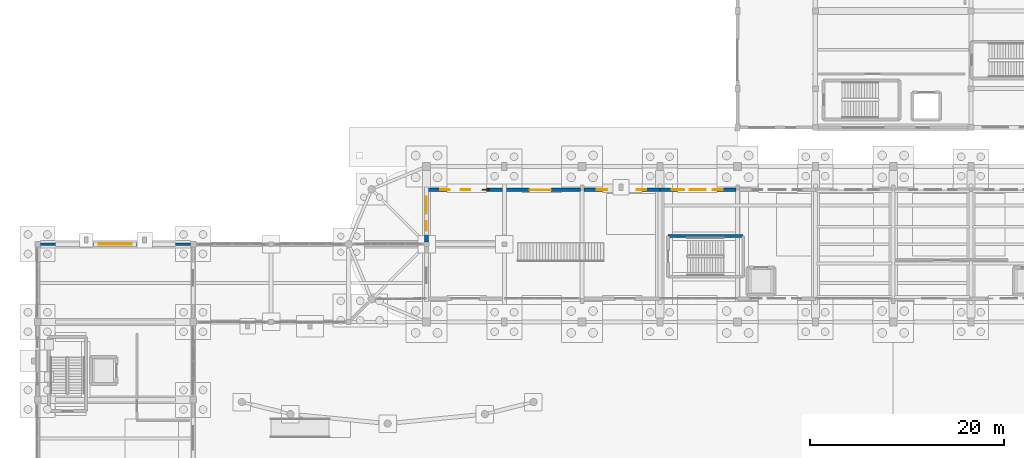
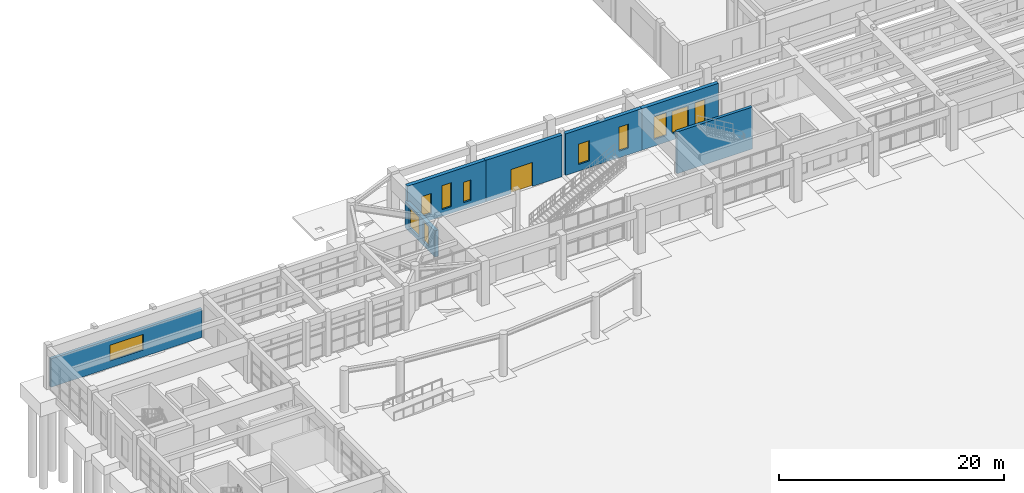
# One storey, part 48 of 68: 11 windows, 7 walls, 1 door, 12 openings.
"""IFC4 building model written with IfcOpenShell, lengths in metres."""

from ifc_helpers import new_model, si_unit, direction, frame, frame_2d, origin, place, context, subcontext, project, spatial, rectangle, extrude, material, layer, layer_set, type_object, element, fill, save


model = new_model("IFC4")

# Units and contexts
model_context = context("Model", 3, precision=1e-05, world=origin(), true_north=direction((0.0, 1.0)))
body_context = subcontext(model_context, "Body", "Model", "MODEL_VIEW")
ifc_project = project(units=[si_unit("LENGTHUNIT", "METRE"), si_unit("AREAUNIT", "SQUARE_METRE"), si_unit("VOLUMEUNIT", "CUBIC_METRE"), si_unit("PLANEANGLEUNIT", "RADIAN"), si_unit("MASSUNIT", "GRAM", prefix="KILO")], contexts=[model_context])

# Site, building, storey
site_placement = place(None, origin())
site = spatial("IfcSite", under=ifc_project, at=site_placement, CompositionType="ELEMENT")
building_placement = place(site_placement, origin())
building = spatial("IfcBuilding", under=site, at=building_placement, Name="Serraluz Foothill Cableway Terminal", CompositionType="ELEMENT")
storey_placement = place(building_placement, origin())
storey = spatial("IfcBuildingStorey", under=building, at=storey_placement, Name="L00", CompositionType="ELEMENT", Elevation=0.0)

# Wall, opening, window
ifc_material_1 = material(Name="Fired clay masonry brick (f'm 12 MPa)", Category="masonry")
ifc_layer_1 = layer(ifc_material_1, 0.300048828125, Name="Fired clay masonry brick (f'm 12 MPa)", Category="masonry")
ifc_layer_set_1 = layer_set([ifc_layer_1], Name="Fired clay masonry brick (f'm 12 MPa)")
wall_type_1 = type_object("IfcWallType", Name="TYP-WL-EXT-300", PredefinedType="STANDARD", material=ifc_layer_set_1)
wall_1_placement = place(storey_placement, frame((0.27490234375, 64.0, 0.0), z_axis=(0.0, 0.0, 1.0), x_axis=(1.0, 0.0, 0.0)))
wall_1 = element("IfcWall", 1, at=wall_1_placement, inside=storey, type_object=wall_type_1, Name="Exterior Masonry Wall EW-V5N-L00", PredefinedType="STANDARD", context=body_context, shape_type="SweptSolid", body=[
    extrude(rectangle(XDim=15.4501953125, YDim=0.300048828125, at=frame_2d((7.72509765625, 0.0))), origin(), (0.0, 0.0, 1.0), 3.090087890625),
])
opening_1_placement = place(wall_1_placement, frame((6.025390625, 0.0, 0.75)))
opening_1 = element("IfcOpeningElement", 2, at=opening_1_placement, cuts=wall_1, Name="Opening W-34", PredefinedType="OPENING", context=body_context, shape_type="SweptSolid", body=[
    extrude(rectangle(XDim=3.39892578125, YDim=1.699951171875, at=frame_2d((1.699462890625, 0.85009765625))), frame((0.0, 0.16015625, 0.0), z_axis=(0.0, -1.0, 0.0), x_axis=(1.0, 0.0, 0.0)), (0.0, 0.0, 1.0), 0.320068359375),
])
ifc_material_2 = material(Name="Laminated low-E safety glass", Category="glass")
window_type_1 = type_object("IfcWindowType", Name="TYP-WN-380X170", PartitioningType="TRIPLE_PANEL_VERTICAL", PredefinedType="WINDOW", material=ifc_material_2)
window_1_placement = place(opening_1_placement, origin())
window_1 = element("IfcWindow", 3, at=window_1_placement, inside=storey, type_object=window_type_1, Name="Exterior Window EW-V5N-L00-WN2", OverallHeight=1.699951171875, OverallWidth=3.39892578125, PartitioningType="SINGLE_PANEL", PredefinedType="WINDOW", context=body_context, shape_type="SweptSolid", body=[
    extrude(rectangle(XDim=3.39892578125, YDim=1.699951171875, at=frame_2d((1.699462890625, 0.85009765625))), frame((0.0, 0.030029296875, 0.0), z_axis=(0.0, -1.0, 0.0), x_axis=(1.0, 0.0, 0.0)), (0.0, 0.0, 1.0), 0.06005859375),
])
fill(opening_1, window_1)

# Wall, openings, windows
ifc_material_3 = material(Name="Dark clinker clay masonry brick (f'm 14 MPa)", Category="masonry")
ifc_layer_2 = layer(ifc_material_3, 0.3798828125, Name="Dark clinker clay masonry brick (f'm 14 MPa)", Category="masonry")
ifc_layer_set_2 = layer_set([ifc_layer_2], Name="Dark clinker clay masonry brick (f'm 14 MPa)")
wall_type_2 = type_object("IfcWallType", Name="TYP-WL-EXT-380", PredefinedType="STANDARD", material=ifc_layer_set_2)
wall_2_placement = place(storey_placement, frame((40.0, 69.60009765625, 0.0), z_axis=(0.0, 0.0, 1.0), x_axis=(1.0, 0.0, 0.0)))
wall_2 = element("IfcWall", 4, at=wall_2_placement, inside=storey, type_object=wall_type_2, Name="Exterior Masonry Wall EW-V1N-L00-40", PredefinedType="STANDARD", context=body_context, shape_type="SweptSolid", body=[
    extrude(rectangle(XDim=8.0, YDim=0.3798828125, at=frame_2d((4.0, 0.0))), origin(), (0.0, 0.0, 1.0), 4.5),
])
opening_2_placement = place(wall_2_placement, frame((1.429931640625, 0.0, 0.719970703125)))
opening_2 = element("IfcOpeningElement", 5, at=opening_2_placement, cuts=wall_2, Name="Opening W-49", PredefinedType="OPENING", context=body_context, shape_type="SweptSolid", body=[
    extrude(rectangle(XDim=0.97998046875, YDim=2.14990234375, at=frame_2d((0.489990234375, 1.074951171875))), frame((0.0, 0.199951171875, 0.0), z_axis=(0.0, -1.0, 0.0), x_axis=(1.0, 0.0, 0.0)), (0.0, 0.0, 1.0), 0.39990234375),
])
opening_3_placement = place(wall_2_placement, frame((3.52490234375, 0.0, 0.719970703125)))
opening_3 = element("IfcOpeningElement", 6, at=opening_3_placement, cuts=wall_2, Name="Opening W-03", PredefinedType="OPENING", context=body_context, shape_type="SweptSolid", body=[
    extrude(rectangle(XDim=0.949951171875, YDim=2.60009765625, at=frame_2d((0.47509765625, 1.300048828125))), frame((0.0, 0.199951171875, 0.0), z_axis=(0.0, -1.0, 0.0), x_axis=(1.0, 0.0, 0.0)), (0.0, 0.0, 1.0), 0.39990234375),
])
opening_4_placement = place(wall_2_placement, frame((5.705078125, 0.0, 0.719970703125)))
opening_4 = element("IfcOpeningElement", 7, at=opening_4_placement, cuts=wall_2, Name="Opening W-01", PredefinedType="OPENING", context=body_context, shape_type="SweptSolid", body=[
    extrude(rectangle(XDim=0.75, YDim=2.199951171875, at=frame_2d((0.375, 1.10009765625))), frame((0.0, 0.199951171875, 0.0), z_axis=(0.0, -1.0, 0.0), x_axis=(1.0, 0.0, 0.0)), (0.0, 0.0, 1.0), 0.39990234375),
])
window_type_2 = type_object("IfcWindowType", Name="TYP-WN-075X220", PartitioningType="SINGLE_PANEL", PredefinedType="WINDOW", material=ifc_material_2)
window_2_placement = place(opening_4_placement, origin())
window_2 = element("IfcWindow", 8, at=window_2_placement, inside=storey, type_object=window_type_2, Name="Exterior Window EW-V1N-L00-40-WN3", OverallHeight=2.199951171875, OverallWidth=0.75, PartitioningType="SINGLE_PANEL", PredefinedType="WINDOW", context=body_context, shape_type="SweptSolid", body=[
    extrude(rectangle(XDim=0.75, YDim=2.199951171875, at=frame_2d((0.375, 1.10009765625))), frame((0.0, 0.030029296875, 0.0), z_axis=(0.0, -1.0, 0.0), x_axis=(1.0, 0.0, 0.0)), (0.0, 0.0, 1.0), 0.06005859375),
])
fill(opening_4, window_2)
window_type_3 = type_object("IfcWindowType", Name="TYP-WN-095X260", PartitioningType="SINGLE_PANEL", PredefinedType="WINDOW", material=ifc_material_2)
window_3_placement = place(opening_3_placement, origin())
window_3 = element("IfcWindow", 9, at=window_3_placement, inside=storey, type_object=window_type_3, Name="Exterior Window EW-V1N-L00-40-WN2", OverallHeight=2.60009765625, OverallWidth=0.949951171875, PartitioningType="SINGLE_PANEL", PredefinedType="WINDOW", context=body_context, shape_type="SweptSolid", body=[
    extrude(rectangle(XDim=0.949951171875, YDim=2.60009765625, at=frame_2d((0.47509765625, 1.300048828125))), frame((0.0, 0.030029296875, 0.0), z_axis=(0.0, -1.0, 0.0), x_axis=(1.0, 0.0, 0.0)), (0.0, 0.0, 1.0), 0.06005859375),
])
fill(opening_3, window_3)
window_type_4 = type_object("IfcWindowType", Name="TYP-WN-098X215", PartitioningType="SINGLE_PANEL", PredefinedType="WINDOW", material=ifc_material_2)
window_4_placement = place(opening_2_placement, origin())
window_4 = element("IfcWindow", 10, at=window_4_placement, inside=storey, type_object=window_type_4, Name="Exterior Window EW-V1N-L00-40-WN1", OverallHeight=2.14990234375, OverallWidth=0.97998046875, PartitioningType="SINGLE_PANEL", PredefinedType="WINDOW", context=body_context, shape_type="SweptSolid", body=[
    extrude(rectangle(XDim=0.97998046875, YDim=2.14990234375, at=frame_2d((0.489990234375, 1.074951171875))), frame((0.0, 0.030029296875, 0.0), z_axis=(0.0, -1.0, 0.0), x_axis=(1.0, 0.0, 0.0)), (0.0, 0.0, 1.0), 0.06005859375),
])
fill(opening_2, window_4)

# Wall, opening, door
wall_3_placement = place(storey_placement, frame((48.0, 69.60009765625, 0.0), z_axis=(0.0, 0.0, 1.0), x_axis=(1.0, 0.0, 0.0)))
wall_3 = element("IfcWall", 11, at=wall_3_placement, inside=storey, type_object=wall_type_2, Name="Exterior Masonry Wall EW-V1N-L00-48", PredefinedType="STANDARD", context=body_context, shape_type="SweptSolid", body=[
    extrude(rectangle(XDim=7.824951171875, YDim=0.3798828125, at=frame_2d((3.91259765625, 0.0))), origin(), (0.0, 0.0, 1.0), 4.5),
])
opening_5_placement = place(wall_3_placement, frame((2.60009765625, 0.0, 0.0)))
opening_5 = element("IfcOpeningElement", 12, at=opening_5_placement, cuts=wall_3, Name="Opening DE-02", PredefinedType="OPENING", context=body_context, shape_type="SweptSolid", body=[
    extrude(rectangle(XDim=2.199951171875, YDim=2.60009765625, at=frame_2d((1.10009765625, 1.300048828125))), frame((0.0, 0.199951171875, 0.0), z_axis=(0.0, -1.0, 0.0), x_axis=(1.0, 0.0, 0.0)), (0.0, 0.0, 1.0), 0.39990234375),
])
ifc_material_4 = material(Name="Architectural bronze alloy C28000", Category="aluminium")
door_type = type_object("IfcDoorType", Name="TYP-DR-EX-2200", OperationType="DOUBLE_DOOR_SINGLE_SWING", PredefinedType="DOOR", material=ifc_material_4)
door_placement = place(opening_5_placement, origin())
door = element("IfcDoor", 13, at=door_placement, inside=storey, type_object=door_type, Name="Main pedestrian exit door D-EX02", OperationType="DOUBLE_DOOR_SINGLE_SWING", OverallHeight=2.60009765625, OverallWidth=2.199951171875, PredefinedType="DOOR", context=body_context, shape_type="SweptSolid", body=[
    extrude(rectangle(XDim=2.199951171875, YDim=2.60009765625, at=frame_2d((1.10009765625, 1.300048828125))), frame((0.0, 0.02490234375, 0.0), z_axis=(0.0, -1.0, 0.0), x_axis=(1.0, 0.0, 0.0)), (0.0, 0.0, 1.0), 0.050048828125),
])
fill(opening_5, door)

# Wall, openings, windows
wall_4_placement = place(storey_placement, frame((56.175048828125, 69.60009765625, 0.0), z_axis=(0.0, 0.0, 1.0), x_axis=(1.0, 0.0, 0.0)))
wall_4 = element("IfcWall", 14, at=wall_4_placement, inside=storey, type_object=wall_type_2, Name="Exterior Masonry Wall EW-V1N-L00-56", PredefinedType="STANDARD", context=body_context, shape_type="SweptSolid", body=[
    extrude(rectangle(XDim=7.824951171875, YDim=0.3798828125, at=frame_2d((3.91259765625, 0.0))), origin(), (0.0, 0.0, 1.0), 4.5),
])
opening_6_placement = place(wall_4_placement, frame((1.327880859375, 0.0, 0.719970703125)))
opening_6 = element("IfcOpeningElement", 15, at=opening_6_placement, cuts=wall_4, Name="Opening W-04", PredefinedType="OPENING", context=body_context, shape_type="SweptSolid", body=[
    extrude(rectangle(XDim=1.10009765625, YDim=2.199951171875, at=frame_2d((0.550048828125, 1.10009765625))), frame((0.0, 0.199951171875, 0.0), z_axis=(0.0, -1.0, 0.0), x_axis=(1.0, 0.0, 0.0)), (0.0, 0.0, 1.0), 0.39990234375),
])
opening_7_placement = place(wall_4_placement, frame((5.471923828125, 0.0, 0.719970703125)))
opening_7 = element("IfcOpeningElement", 16, at=opening_7_placement, cuts=wall_4, Name="Opening W-03", PredefinedType="OPENING", context=body_context, shape_type="SweptSolid", body=[
    extrude(rectangle(XDim=0.949951171875, YDim=2.60009765625, at=frame_2d((0.47509765625, 1.300048828125))), frame((0.0, 0.199951171875, 0.0), z_axis=(0.0, -1.0, 0.0), x_axis=(1.0, 0.0, 0.0)), (0.0, 0.0, 1.0), 0.39990234375),
])
window_5_placement = place(opening_7_placement, origin())
window_5 = element("IfcWindow", 17, at=window_5_placement, inside=storey, type_object=window_type_3, Name="Exterior Window EW-V1N-L00-56-WN3", OverallHeight=2.60009765625, OverallWidth=0.949951171875, PartitioningType="SINGLE_PANEL", PredefinedType="WINDOW", context=body_context, shape_type="SweptSolid", body=[
    extrude(rectangle(XDim=0.949951171875, YDim=2.60009765625, at=frame_2d((0.47509765625, 1.300048828125))), frame((0.0, 0.030029296875, 0.0), z_axis=(0.0, -1.0, 0.0), x_axis=(1.0, 0.0, 0.0)), (0.0, 0.0, 1.0), 0.06005859375),
])
fill(opening_7, window_5)
window_type_5 = type_object("IfcWindowType", Name="TYP-WN-110X220", PartitioningType="SINGLE_PANEL", PredefinedType="WINDOW", material=ifc_material_2)
window_6_placement = place(opening_6_placement, origin())
window_6 = element("IfcWindow", 18, at=window_6_placement, inside=storey, type_object=window_type_5, Name="Exterior Window EW-V1N-L00-56-WN1", OverallHeight=2.199951171875, OverallWidth=1.10009765625, PartitioningType="SINGLE_PANEL", PredefinedType="WINDOW", context=body_context, shape_type="SweptSolid", body=[
    extrude(rectangle(XDim=1.10009765625, YDim=2.199951171875, at=frame_2d((0.550048828125, 1.10009765625))), frame((0.0, 0.030029296875, 0.0), z_axis=(0.0, -1.0, 0.0), x_axis=(1.0, 0.0, 0.0)), (0.0, 0.0, 1.0), 0.06005859375),
])
fill(opening_6, window_6)

wall_5_placement = place(storey_placement, frame((64.0, 69.60009765625, 0.0), z_axis=(0.0, 0.0, 1.0), x_axis=(1.0, 0.0, 0.0)))
wall_5 = element("IfcWall", 19, at=wall_5_placement, inside=storey, type_object=wall_type_2, Name="Exterior Masonry Wall EW-V1N-L00-64", PredefinedType="STANDARD", context=body_context, shape_type="SweptSolid", body=[
    extrude(rectangle(XDim=7.824951171875, YDim=0.3798828125, at=frame_2d((3.91259765625, 0.0))), origin(), (0.0, 0.0, 1.0), 4.5),
])
opening_8_placement = place(wall_5_placement, frame((1.22802734375, 0.0, 0.719970703125)))
opening_8 = element("IfcOpeningElement", 20, at=opening_8_placement, cuts=wall_5, Name="Opening W-40", PredefinedType="OPENING", context=body_context, shape_type="SweptSolid", body=[
    extrude(rectangle(XDim=1.300048828125, YDim=2.449951171875, at=frame_2d((0.64990234375, 1.22509765625))), frame((0.0, 0.199951171875, 0.0), z_axis=(0.0, -1.0, 0.0), x_axis=(1.0, 0.0, 0.0)), (0.0, 0.0, 1.0), 0.39990234375),
])
opening_9_placement = place(wall_5_placement, frame((3.08740234375, 0.0, 0.719970703125)))
opening_9 = element("IfcOpeningElement", 21, at=opening_9_placement, cuts=wall_5, Name="Opening W-08", PredefinedType="OPENING", context=body_context, shape_type="SweptSolid", body=[
    extrude(rectangle(XDim=1.64990234375, YDim=2.39990234375, at=frame_2d((0.824951171875, 1.199951171875))), frame((0.0, 0.199951171875, 0.0), z_axis=(0.0, -1.0, 0.0), x_axis=(1.0, 0.0, 0.0)), (0.0, 0.0, 1.0), 0.39990234375),
])
opening_10_placement = place(wall_5_placement, frame((5.422119140625, 0.0, 0.719970703125)))
opening_10 = element("IfcOpeningElement", 22, at=opening_10_placement, cuts=wall_5, Name="Opening W-38", PredefinedType="OPENING", context=body_context, shape_type="SweptSolid", body=[
    extrude(rectangle(XDim=1.050048828125, YDim=2.5, at=frame_2d((0.52490234375, 1.25))), frame((0.0, 0.199951171875, 0.0), z_axis=(0.0, -1.0, 0.0), x_axis=(1.0, 0.0, 0.0)), (0.0, 0.0, 1.0), 0.39990234375),
])
window_type_6 = type_object("IfcWindowType", Name="TYP-WN-105X250", PartitioningType="SINGLE_PANEL", PredefinedType="WINDOW", material=ifc_material_2)
window_7_placement = place(opening_10_placement, origin())
window_7 = element("IfcWindow", 23, at=window_7_placement, inside=storey, type_object=window_type_6, Name="Exterior Window EW-V1N-L00-64-WN3", OverallHeight=2.5, OverallWidth=1.050048828125, PartitioningType="SINGLE_PANEL", PredefinedType="WINDOW", context=body_context, shape_type="SweptSolid", body=[
    extrude(rectangle(XDim=1.050048828125, YDim=2.5, at=frame_2d((0.52490234375, 1.25))), frame((0.0, 0.030029296875, 0.0), z_axis=(0.0, -1.0, 0.0), x_axis=(1.0, 0.0, 0.0)), (0.0, 0.0, 1.0), 0.06005859375),
])
fill(opening_10, window_7)
window_type_7 = type_object("IfcWindowType", Name="TYP-WN-130X245", PartitioningType="DOUBLE_PANEL_VERTICAL", PredefinedType="WINDOW", material=ifc_material_2)
window_8_placement = place(opening_8_placement, origin())
window_8 = element("IfcWindow", 24, at=window_8_placement, inside=storey, type_object=window_type_7, Name="Exterior Window EW-V1N-L00-64-WN1", OverallHeight=2.449951171875, OverallWidth=1.300048828125, PartitioningType="SINGLE_PANEL", PredefinedType="WINDOW", context=body_context, shape_type="SweptSolid", body=[
    extrude(rectangle(XDim=1.300048828125, YDim=2.449951171875, at=frame_2d((0.64990234375, 1.22509765625))), frame((0.0, 0.030029296875, 0.0), z_axis=(0.0, -1.0, 0.0), x_axis=(1.0, 0.0, 0.0)), (0.0, 0.0, 1.0), 0.06005859375),
])
fill(opening_8, window_8)
window_type_8 = type_object("IfcWindowType", Name="TYP-WN-165X240", PartitioningType="DOUBLE_PANEL_VERTICAL", PredefinedType="WINDOW", material=ifc_material_2)
window_9_placement = place(opening_9_placement, origin())
window_9 = element("IfcWindow", 25, at=window_9_placement, inside=storey, type_object=window_type_8, Name="Exterior Window EW-V1N-L00-64-WN2", OverallHeight=2.39990234375, OverallWidth=1.64990234375, PartitioningType="SINGLE_PANEL", PredefinedType="WINDOW", context=body_context, shape_type="SweptSolid", body=[
    extrude(rectangle(XDim=1.64990234375, YDim=2.39990234375, at=frame_2d((0.824951171875, 1.199951171875))), frame((0.0, 0.030029296875, 0.0), z_axis=(0.0, -1.0, 0.0), x_axis=(1.0, 0.0, 0.0)), (0.0, 0.0, 1.0), 0.06005859375),
])
fill(opening_9, window_9)

wall_6_placement = place(storey_placement, frame((40.0, 64.25, 0.0), z_axis=(0.0, 0.0, 1.0), x_axis=(0.0, 1.0, 0.0)))
wall_6 = element("IfcWall", 26, at=wall_6_placement, inside=storey, type_object=wall_type_2, Name="Exterior Masonry Wall EW-V1W-L00-N", PredefinedType="STANDARD", context=body_context, shape_type="SweptSolid", body=[
    extrude(rectangle(XDim=5.35009765625, YDim=0.3798828125, at=frame_2d((2.675048828125, 0.0))), origin(), (0.0, 0.0, 1.0), 2.85009765625),
])
opening_11_placement = place(wall_6_placement, frame((1.114990234375, 0.0, 0.47998046875)))
opening_11 = element("IfcOpeningElement", 27, at=opening_11_placement, cuts=wall_6, Name="Opening W-49", PredefinedType="OPENING", context=body_context, shape_type="SweptSolid", body=[
    extrude(rectangle(XDim=0.97998046875, YDim=2.14990234375, at=frame_2d((0.489990234375, 1.074951171875))), frame((0.0, 0.199951171875, 0.0), z_axis=(0.0, -1.0, 0.0), x_axis=(1.0, 0.0, 0.0)), (0.0, 0.0, 1.0), 0.39990234375),
])
opening_12_placement = place(wall_6_placement, frame((2.8701171875, 0.0, 0.47998046875)))
opening_12 = element("IfcOpeningElement", 28, at=opening_12_placement, cuts=wall_6, Name="Opening W-43", PredefinedType="OPENING", context=body_context, shape_type="SweptSolid", body=[
    extrude(rectangle(XDim=1.75, YDim=2.14990234375, at=frame_2d((0.875, 1.074951171875))), frame((0.0, 0.199951171875, 0.0), z_axis=(0.0, -1.0, 0.0), x_axis=(1.0, 0.0, 0.0)), (0.0, 0.0, 1.0), 0.39990234375),
])
window_10_placement = place(opening_11_placement, origin())
window_10 = element("IfcWindow", 29, at=window_10_placement, inside=storey, type_object=window_type_4, Name="Exterior Window EW-V1W-L00-N-WN1", OverallHeight=2.14990234375, OverallWidth=0.97998046875, PartitioningType="SINGLE_PANEL", PredefinedType="WINDOW", context=body_context, shape_type="SweptSolid", body=[
    extrude(rectangle(XDim=0.97998046875, YDim=2.14990234375, at=frame_2d((0.489990234375, 1.074951171875))), frame((0.0, 0.030029296875, 0.0), z_axis=(0.0, -1.0, 0.0), x_axis=(1.0, 0.0, 0.0)), (0.0, 0.0, 1.0), 0.06005859375),
])
fill(opening_11, window_10)
window_type_9 = type_object("IfcWindowType", Name="TYP-WN-175X215", PartitioningType="DOUBLE_PANEL_VERTICAL", PredefinedType="WINDOW", material=ifc_material_2)
window_11_placement = place(opening_12_placement, origin())
window_11 = element("IfcWindow", 30, at=window_11_placement, inside=storey, type_object=window_type_9, Name="Exterior Window EW-V1W-L00-N-WN2", OverallHeight=2.14990234375, OverallWidth=1.75, PartitioningType="SINGLE_PANEL", PredefinedType="WINDOW", context=body_context, shape_type="SweptSolid", body=[
    extrude(rectangle(XDim=1.75, YDim=2.14990234375, at=frame_2d((0.875, 1.074951171875))), frame((0.0, 0.030029296875, 0.0), z_axis=(0.0, -1.0, 0.0), x_axis=(1.0, 0.0, 0.0)), (0.0, 0.0, 1.0), 0.06005859375),
])
fill(opening_12, window_11)

# Wall
ifc_material_5 = material(Name="Concrete C35/45 (f'c 35 MPa)", Category="concrete")
ifc_layer_3 = layer(ifc_material_5, 0.300048828125, Name="Concrete C35/45 (f'c 35 MPa)", Category="concrete")
ifc_layer_set_3 = layer_set([ifc_layer_3], Name="Concrete C35/45 (f'c 35 MPa)")
wall_type_3 = type_object("IfcWallType", Name="TYP-WL-SHR-350", PredefinedType="SHEAR", material=ifc_layer_set_3)
wall_7_placement = place(storey_placement, frame((64.85009765625, 64.830078125, 0.0), z_axis=(0.0, 0.0, 1.0), x_axis=(1.0, 0.0, 0.0)))
element("IfcWall", 31, at=wall_7_placement, inside=storey, type_object=wall_type_3, Name="Stair Core Shear Wall CW-ST-03-L00-N", PredefinedType="SHEAR", context=body_context, shape_type="SweptSolid", body=[
    extrude(rectangle(XDim=7.724853515625, YDim=0.300048828125, at=frame_2d((3.8623046875, 0.0))), origin(), (0.0, 0.0, 1.0), 4.5400390625),
])

save(model, "model.ifc")
